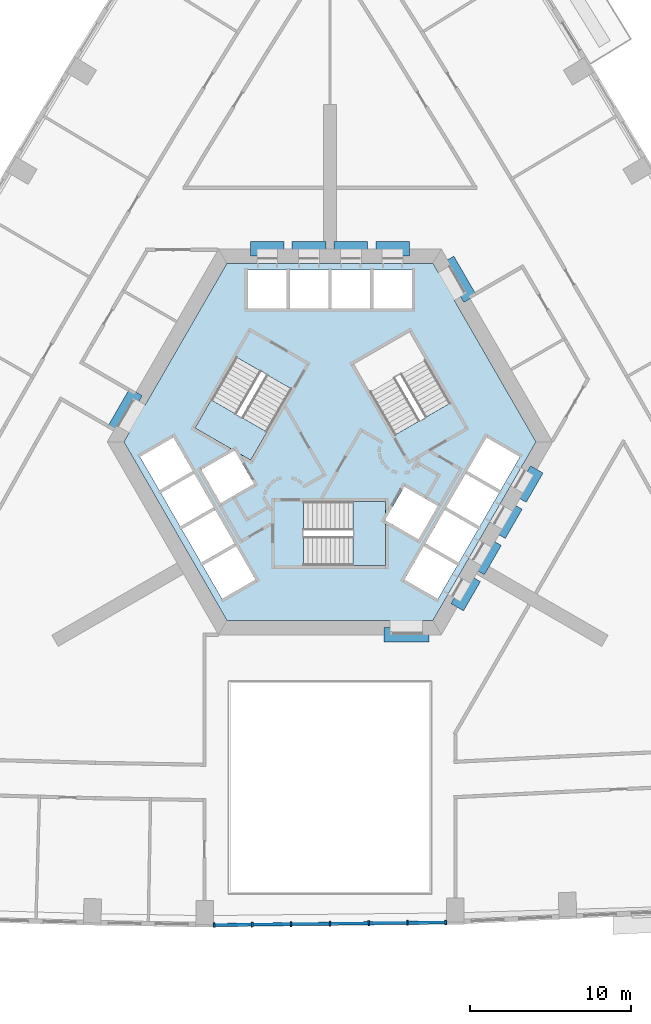
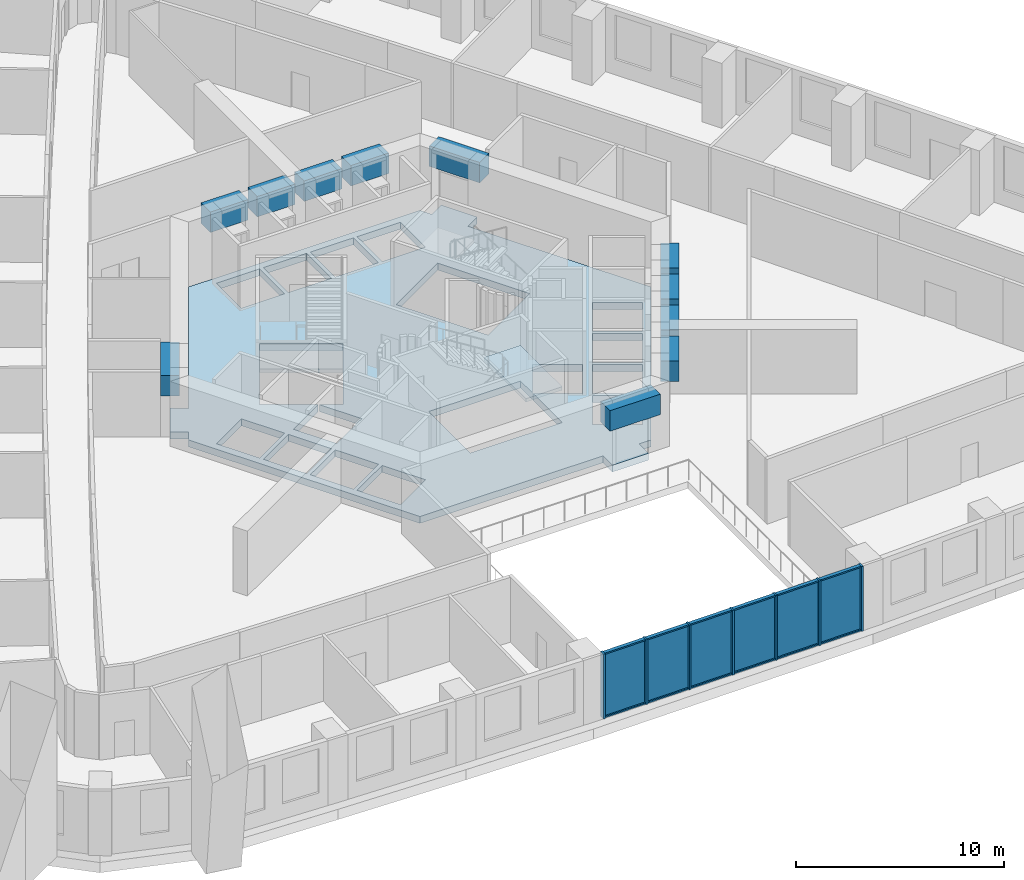
# One storey, part 2 of 15: 19 members, 11 beams, 6 plates, 3 slabs, 3 elements without a shape of their own.
"""IFC4 building model written with IfcOpenShell, lengths in metres."""

from ifc_helpers import new_model, si_unit, direction, frame, origin, origin_2d, place, context, subcontext, project, spatial, polyline, rectangle, outline, extrude, material, layer, layer_set, material_profile, profile_set, type_object, element, aggregate, save


model = new_model("IFC4")

# Units and contexts
model_context = context("Model", 3, precision=1e-05, world=origin(), true_north=direction((0.0, 1.0)))
body_context = subcontext(model_context, "Body", "Model", "MODEL_VIEW")
ifc_project = project(units=[si_unit("LENGTHUNIT", "METRE"), si_unit("AREAUNIT", "SQUARE_METRE"), si_unit("VOLUMEUNIT", "CUBIC_METRE"), si_unit("PLANEANGLEUNIT", "RADIAN"), si_unit("MASSUNIT", "GRAM", prefix="KILO")], contexts=[model_context])

# Site, building, storey
site_placement = place(None, origin())
site = spatial("IfcSite", under=ifc_project, at=site_placement, CompositionType="ELEMENT")
building_placement = place(site_placement, origin())
building = spatial("IfcBuilding", under=site, at=building_placement, Name="Entoto Arch Interchange Tower", CompositionType="ELEMENT")
storey_placement = place(building_placement, frame((0.0, 0.0, 111.800048828125)))
storey = spatial("IfcBuildingStorey", under=building, at=storey_placement, Name="L24", CompositionType="ELEMENT", Elevation=111.800048828125)

# Beams
ifc_material_1 = material(Name="Concrete C60/75", Category="concrete")
ifc_material_profile_1 = material_profile(ifc_material_1, rectangle(XDim=0.89990234375, YDim=1.199951171875, at=origin_2d()))
ifc_profile_set_1 = profile_set([ifc_material_profile_1], Name="Concrete C60/75")
beam_type = type_object("IfcBeamType", Name="Coupling beam RC 900x1200 C60/75", PredefinedType="BEAM", material=ifc_profile_set_1)
beam_1_placement = place(storey_placement, frame((8.717041015625, 11.402099609375, 3.0), z_axis=(-0.500200581029, 0.865909567298, 0.0), x_axis=(-0.865909567298, -0.500200581029, 0.0)))
element("IfcBeam", 1, at=beam_1_placement, inside=storey, type_object=beam_type, Name="Coupling beam NE L24", PredefinedType="BEAM", context=body_context, shape_type="SweptSolid", body=[
    extrude(rectangle(XDim=0.89990234375, YDim=1.199951171875, at=origin_2d()), origin(), (0.0, 0.0, 1.0), 2.799072265625),
])
beam_2_placement = place(storey_placement, frame((4.949951171875, 14.5, 3.0), z_axis=(-1.0, 0.0, 0.0), x_axis=(0.0, -1.0, 0.0)))
element("IfcBeam", 2, at=beam_2_placement, inside=storey, type_object=beam_type, Name="Coupling beam N L24", PredefinedType="BEAM", context=body_context, shape_type="SweptSolid", body=[
    extrude(rectangle(XDim=0.89990234375, YDim=1.199951171875, at=origin_2d()), origin(), (0.0, 0.0, 1.0), 2.099853515625),
])
for number, where, z_axis, x_axis, name in (
    (3, (2.35009765625, 14.5, 3.0), (-1.0, 0.0, 0.0), (0.0, -1.0, 0.0), "Coupling beam N L24"),
    (4, (-0.25, 14.5, 3.0), (-1.0, 0.0, 0.0), (0.0, -1.0, 0.0), "Coupling beam N L24"),
):
    element("IfcBeam", number, at=place(storey_placement, frame(where, z_axis=z_axis, x_axis=x_axis)), inside=storey, type_object=beam_type, Name=name, PredefinedType="BEAM", context=body_context, shape_type="SweptSolid", body=[
        extrude(rectangle(XDim=0.89990234375, YDim=1.199951171875, at=origin_2d()), origin(), (0.0, 0.0, 1.0), 2.10009765625),
    ])
beam_3_placement = place(storey_placement, frame((-2.85009765625, 14.5, 3.0), z_axis=(-1.0, 0.0, 0.0), x_axis=(0.0, -1.0, 0.0)))
element("IfcBeam", 5, at=beam_3_placement, inside=storey, type_object=beam_type, Name="Coupling beam N L24", PredefinedType="BEAM", context=body_context, shape_type="SweptSolid", body=[
    extrude(rectangle(XDim=0.89990234375, YDim=1.199951171875, at=origin_2d()), origin(), (0.0, 0.0, 1.0), 2.099853515625),
])
beam_4_placement = place(storey_placement, frame((-12.06689453125, 5.597900390625, 3.0), z_axis=(-0.500200581029, -0.865909567298, 0.0), x_axis=(0.865909567298, -0.500200581029, 0.0)))
element("IfcBeam", 6, at=beam_4_placement, inside=storey, type_object=beam_type, Name="Coupling beam NW L24", PredefinedType="BEAM", context=body_context, shape_type="SweptSolid", body=[
    extrude(rectangle(XDim=0.89990234375, YDim=1.199951171875, at=origin_2d()), origin(), (0.0, 0.0, 1.0), 2.799072265625),
])
beam_5_placement = place(storey_placement, frame((3.35009765625, -9.5, 3.0), z_axis=(1.0, 0.0, 0.0), x_axis=(0.0, 1.0, 0.0)))
element("IfcBeam", 7, at=beam_5_placement, inside=storey, type_object=beam_type, Name="Coupling beam S L24", PredefinedType="BEAM", context=body_context, shape_type="SweptSolid", body=[
    extrude(rectangle(XDim=0.89990234375, YDim=1.199951171875, at=origin_2d()), origin(), (0.0, 0.0, 1.0), 2.7998046875),
])
for number, where, z_axis, x_axis, name in (
    (8, (7.9169921875, -7.785888671875, 3.0), (0.500178781653, 0.865922159541, 0.0), (-0.865922159541, 0.500178781653, 0.0), "Coupling beam SE L24"),
    (9, (9.217041015625, -5.534912109375, 3.0), (0.500178781653, 0.865922159541, 0.0), (-0.865922159541, 0.500178781653, 0.0), "Coupling beam SE L24"),
):
    element("IfcBeam", number, at=place(storey_placement, frame(where, z_axis=z_axis, x_axis=x_axis)), inside=storey, type_object=beam_type, Name=name, PredefinedType="BEAM", context=body_context, shape_type="SweptSolid", body=[
        extrude(rectangle(XDim=0.89990234375, YDim=1.199951171875, at=origin_2d()), origin(), (0.0, 0.0, 1.0), 2.099365234375),
    ])
beam_6_placement = place(storey_placement, frame((10.51708984375, -3.282958984375, 3.0), z_axis=(0.500091574638, 0.865972526687, 0.0), x_axis=(-0.865972526687, 0.500091574638, 0.0)))
element("IfcBeam", 10, at=beam_6_placement, inside=storey, type_object=beam_type, Name="Coupling beam SE L24", PredefinedType="BEAM", context=body_context, shape_type="SweptSolid", body=[
    extrude(rectangle(XDim=0.89990234375, YDim=1.199951171875, at=origin_2d()), origin(), (0.0, 0.0, 1.0), 2.09912109375),
])
beam_7_placement = place(storey_placement, frame((11.81689453125, -1.031982421875, 3.0), z_axis=(0.500178781653, 0.865922159541, 0.0), x_axis=(-0.865922159541, 0.500178781653, 0.0)))
element("IfcBeam", 11, at=beam_7_placement, inside=storey, type_object=beam_type, Name="Coupling beam SE L24", PredefinedType="BEAM", context=body_context, shape_type="SweptSolid", body=[
    extrude(rectangle(XDim=0.89990234375, YDim=1.199951171875, at=origin_2d()), origin(), (0.0, 0.0, 1.0), 2.099365234375),
])

# Curtain wall, members
ifc_material_2 = material(Name="Aluminium, anodised", Category="aluminium")
curtain_wall_type = type_object("IfcCurtainWallType", Name="CURTAIN WALL ATRIUM", PredefinedType="NOTDEFINED", material=ifc_material_2)
curtain_wall_placement = place(storey_placement, origin())
curtain_wall = element("IfcCurtainWall", 12, at=curtain_wall_placement, inside=storey, type_object=curtain_wall_type, Name="Atrium glazing S-04 L24", PredefinedType="NOTDEFINED")
ifc_material_profile_2 = material_profile(ifc_material_2, rectangle(XDim=0.300048828125, YDim=0.10009765625, at=origin_2d()))
ifc_profile_set_2 = profile_set([ifc_material_profile_2], Name="Aluminium, anodised")
member_type_1 = type_object("IfcMemberType", Name="MULLION ATRIUM 100x300", PredefinedType="MULLION", material=ifc_profile_set_2)
member_1_placement = place(storey_placement, frame((-7.199951171875, -27.550537109375, 0.0), z_axis=(0.0, 0.0, 1.0), x_axis=(-0.011033811041, 0.999939125654, 0.0)))
member_1 = element("IfcMember", 13, at=member_1_placement, type_object=member_type_1, Name="CWA mullion 1", PredefinedType="MULLION", context=body_context, shape_type="SweptSolid", body=[
    extrude(rectangle(XDim=0.300048828125, YDim=0.10009765625, at=origin_2d()), origin(), (0.0, 0.0, 1.0), 3.800048828125),
])
member_2_placement = place(storey_placement, frame((-4.833251953125, -27.5244140625, 0.0), z_axis=(0.0, 0.0, 1.0), x_axis=(-0.011033811041, 0.999939125654, 0.0)))
member_2 = element("IfcMember", 14, at=member_2_placement, type_object=member_type_1, Name="CWA mullion 2", PredefinedType="MULLION", context=body_context, shape_type="SweptSolid", body=[
    extrude(rectangle(XDim=0.300048828125, YDim=0.10009765625, at=origin_2d()), origin(), (0.0, 0.0, 1.0), 3.800048828125),
])
member_3_placement = place(storey_placement, frame((-2.416748046875, -27.49755859375, 0.0), z_axis=(0.0, 0.0, 1.0), x_axis=(-0.011033811041, 0.999939125654, 0.0)))
member_3 = element("IfcMember", 15, at=member_3_placement, type_object=member_type_1, Name="CWA mullion 3", PredefinedType="MULLION", context=body_context, shape_type="SweptSolid", body=[
    extrude(rectangle(XDim=0.300048828125, YDim=0.10009765625, at=origin_2d()), origin(), (0.0, 0.0, 1.0), 3.800048828125),
])
member_4_placement = place(storey_placement, frame((0.0, -27.470947265625, 0.0), z_axis=(0.0, 0.0, 1.0), x_axis=(-0.011033811041, 0.999939125654, 0.0)))
member_4 = element("IfcMember", 16, at=member_4_placement, type_object=member_type_1, Name="CWA mullion 4", PredefinedType="MULLION", context=body_context, shape_type="SweptSolid", body=[
    extrude(rectangle(XDim=0.300048828125, YDim=0.10009765625, at=origin_2d()), origin(), (0.0, 0.0, 1.0), 3.800048828125),
])
member_5_placement = place(storey_placement, frame((2.416748046875, -27.4443359375, 0.0), z_axis=(0.0, 0.0, 1.0), x_axis=(-0.011033811041, 0.999939125654, 0.0)))
member_5 = element("IfcMember", 17, at=member_5_placement, type_object=member_type_1, Name="CWA mullion 5", PredefinedType="MULLION", context=body_context, shape_type="SweptSolid", body=[
    extrude(rectangle(XDim=0.300048828125, YDim=0.10009765625, at=origin_2d()), origin(), (0.0, 0.0, 1.0), 3.800048828125),
])
member_6_placement = place(storey_placement, frame((4.833251953125, -27.417724609375, 0.0), z_axis=(0.0, 0.0, 1.0), x_axis=(-0.011033811041, 0.999939125654, 0.0)))
member_6 = element("IfcMember", 18, at=member_6_placement, type_object=member_type_1, Name="CWA mullion 6", PredefinedType="MULLION", context=body_context, shape_type="SweptSolid", body=[
    extrude(rectangle(XDim=0.300048828125, YDim=0.10009765625, at=origin_2d()), origin(), (0.0, 0.0, 1.0), 3.800048828125),
])
member_7_placement = place(storey_placement, frame((7.199951171875, -27.3916015625, 0.0), z_axis=(0.0, 0.0, 1.0), x_axis=(-0.011033811041, 0.999939125654, 0.0)))
member_7 = element("IfcMember", 19, at=member_7_placement, type_object=member_type_1, Name="CWA mullion 7", PredefinedType="MULLION", context=body_context, shape_type="SweptSolid", body=[
    extrude(rectangle(XDim=0.300048828125, YDim=0.10009765625, at=origin_2d()), origin(), (0.0, 0.0, 1.0), 3.800048828125),
])
ifc_material_profile_3 = material_profile(ifc_material_2, rectangle(XDim=0.199951171875, YDim=0.080078125, at=origin_2d()))
ifc_profile_set_3 = profile_set([ifc_material_profile_3], Name="Aluminium, anodised")
member_type_2 = type_object("IfcMemberType", Name="TRANSOM ATRIUM 80x200", PredefinedType="USERDEFINED", material=ifc_profile_set_3)
member_8_placement = place(storey_placement, frame((-7.14990234375, -27.5498046875, 0.0400390625), z_axis=(0.999939652293, 0.010985980669, 0.0), x_axis=(-0.010985980669, 0.999939652293, 0.0)))
member_8 = element("IfcMember", 20, at=member_8_placement, type_object=member_type_2, Name="CWA transom 1.1", ObjectType="TRANSOM", PredefinedType="USERDEFINED", context=body_context, shape_type="SweptSolid", body=[
    extrude(rectangle(XDim=0.199951171875, YDim=0.080078125, at=origin_2d()), origin(), (0.0, 0.0, 1.0), 2.266845703125),
])
member_9_placement = place(storey_placement, frame((-7.14990234375, -27.5498046875, 3.760009765625), z_axis=(0.999939652293, 0.010985980669, 0.0), x_axis=(-0.010985980669, 0.999939652293, 0.0)))
member_9 = element("IfcMember", 21, at=member_9_placement, type_object=member_type_2, Name="CWA transom 1.2", ObjectType="TRANSOM", PredefinedType="USERDEFINED", context=body_context, shape_type="SweptSolid", body=[
    extrude(rectangle(XDim=0.199951171875, YDim=0.080078125, at=origin_2d()), origin(), (0.0, 0.0, 1.0), 2.266845703125),
])
member_10_placement = place(storey_placement, frame((-4.783447265625, -27.523681640625, 0.0400390625), z_axis=(0.999939956619, 0.0109582461, 0.0), x_axis=(-0.0109582461, 0.999939956619, 0.0)))
member_10 = element("IfcMember", 22, at=member_10_placement, type_object=member_type_2, Name="CWA transom 2.1", ObjectType="TRANSOM", PredefinedType="USERDEFINED", context=body_context, shape_type="SweptSolid", body=[
    extrude(rectangle(XDim=0.199951171875, YDim=0.080078125, at=origin_2d()), origin(), (0.0, 0.0, 1.0), 2.317138671875),
])
member_11_placement = place(storey_placement, frame((-4.783447265625, -27.523681640625, 3.760009765625), z_axis=(0.999939956619, 0.0109582461, 0.0), x_axis=(-0.0109582461, 0.999939956619, 0.0)))
member_11 = element("IfcMember", 23, at=member_11_placement, type_object=member_type_2, Name="CWA transom 2.2", ObjectType="TRANSOM", PredefinedType="USERDEFINED", context=body_context, shape_type="SweptSolid", body=[
    extrude(rectangle(XDim=0.199951171875, YDim=0.080078125, at=origin_2d()), origin(), (0.0, 0.0, 1.0), 2.317138671875),
])
member_12_placement = place(storey_placement, frame((-2.36669921875, -27.4970703125, 0.0400390625), z_axis=(0.999938783594, 0.011064766812, 0.0), x_axis=(-0.011064766812, 0.999938783594, 0.0)))
member_12 = element("IfcMember", 24, at=member_12_placement, type_object=member_type_2, Name="CWA transom 3.1", ObjectType="TRANSOM", PredefinedType="USERDEFINED", context=body_context, shape_type="SweptSolid", body=[
    extrude(rectangle(XDim=0.199951171875, YDim=0.080078125, at=origin_2d()), origin(), (0.0, 0.0, 1.0), 2.31689453125),
])
member_13_placement = place(storey_placement, frame((-2.36669921875, -27.4970703125, 3.760009765625), z_axis=(0.999938783594, 0.011064766812, 0.0), x_axis=(-0.011064766812, 0.999938783594, 0.0)))
member_13 = element("IfcMember", 25, at=member_13_placement, type_object=member_type_2, Name="CWA transom 3.2", ObjectType="TRANSOM", PredefinedType="USERDEFINED", context=body_context, shape_type="SweptSolid", body=[
    extrude(rectangle(XDim=0.199951171875, YDim=0.080078125, at=origin_2d()), origin(), (0.0, 0.0, 1.0), 2.31689453125),
])
member_14_placement = place(storey_placement, frame((0.050048828125, -27.470458984375, 0.0400390625), z_axis=(0.999938783594, 0.011064766812, 0.0), x_axis=(-0.011064766812, 0.999938783594, 0.0)))
member_14 = element("IfcMember", 26, at=member_14_placement, type_object=member_type_2, Name="CWA transom 4.1", ObjectType="TRANSOM", PredefinedType="USERDEFINED", context=body_context, shape_type="SweptSolid", body=[
    extrude(rectangle(XDim=0.199951171875, YDim=0.080078125, at=origin_2d()), origin(), (0.0, 0.0, 1.0), 2.31689453125),
])
member_15_placement = place(storey_placement, frame((0.050048828125, -27.470458984375, 3.760009765625), z_axis=(0.999938783594, 0.011064766812, 0.0), x_axis=(-0.011064766812, 0.999938783594, 0.0)))
member_15 = element("IfcMember", 27, at=member_15_placement, type_object=member_type_2, Name="CWA transom 4.2", ObjectType="TRANSOM", PredefinedType="USERDEFINED", context=body_context, shape_type="SweptSolid", body=[
    extrude(rectangle(XDim=0.199951171875, YDim=0.080078125, at=origin_2d()), origin(), (0.0, 0.0, 1.0), 2.31689453125),
])
member_16_placement = place(storey_placement, frame((2.466552734375, -27.44384765625, 0.0400390625), z_axis=(0.999938796493, 0.011063601015, 0.0), x_axis=(-0.011063601015, 0.999938796493, 0.0)))
member_16 = element("IfcMember", 28, at=member_16_placement, type_object=member_type_2, Name="CWA transom 5.1", ObjectType="TRANSOM", PredefinedType="USERDEFINED", context=body_context, shape_type="SweptSolid", body=[
    extrude(rectangle(XDim=0.199951171875, YDim=0.080078125, at=origin_2d()), origin(), (0.0, 0.0, 1.0), 2.317138671875),
])
member_17_placement = place(storey_placement, frame((2.466552734375, -27.44384765625, 3.760009765625), z_axis=(0.999938796493, 0.011063601015, 0.0), x_axis=(-0.011063601015, 0.999938796493, 0.0)))
member_17 = element("IfcMember", 29, at=member_17_placement, type_object=member_type_2, Name="CWA transom 5.2", ObjectType="TRANSOM", PredefinedType="USERDEFINED", context=body_context, shape_type="SweptSolid", body=[
    extrude(rectangle(XDim=0.199951171875, YDim=0.080078125, at=origin_2d()), origin(), (0.0, 0.0, 1.0), 2.317138671875),
])
member_18_placement = place(storey_placement, frame((4.88330078125, -27.417236328125, 0.0400390625), z_axis=(0.999938463314, 0.011093673171, 0.0), x_axis=(-0.011093673171, 0.999938463314, 0.0)))
member_18 = element("IfcMember", 30, at=member_18_placement, type_object=member_type_2, Name="CWA transom 6.1", ObjectType="TRANSOM", PredefinedType="USERDEFINED", context=body_context, shape_type="SweptSolid", body=[
    extrude(rectangle(XDim=0.199951171875, YDim=0.080078125, at=origin_2d()), origin(), (0.0, 0.0, 1.0), 2.266845703125),
])
member_19_placement = place(storey_placement, frame((4.88330078125, -27.417236328125, 3.760009765625), z_axis=(0.999938463314, 0.011093673171, 0.0), x_axis=(-0.011093673171, 0.999938463314, 0.0)))
member_19 = element("IfcMember", 31, at=member_19_placement, type_object=member_type_2, Name="CWA transom 6.2", ObjectType="TRANSOM", PredefinedType="USERDEFINED", context=body_context, shape_type="SweptSolid", body=[
    extrude(rectangle(XDim=0.199951171875, YDim=0.080078125, at=origin_2d()), origin(), (0.0, 0.0, 1.0), 2.266845703125),
])

# Slab
ifc_material_3 = material(Name="Concrete C40/50", Category="concrete")
ifc_layer_1 = layer(ifc_material_3, 0.39990234375)
ifc_layer_set_1 = layer_set([ifc_layer_1], Name="Concrete C40/50")
slab_type_1 = type_object("IfcSlabType", Name="Core floor slab 400 C40/50", PredefinedType="FLOOR", material=ifc_layer_set_1)
slab_1_placement = place(storey_placement, frame((0.0, 0.0, -0.400146484375)))
element("IfcSlab", 32, at=slab_1_placement, inside=storey, type_object=slab_type_1, Name="Core floor slab L24", PredefinedType="FLOOR", context=body_context, shape_type="SweptSolid", body=[
    extrude(outline(polyline([(5.75, -9.5), (3.75, -9.5), (3.75, -8.60009765625), (-6.408935546875, -8.60009765625), (-12.81689453125, 2.5), (-12.488037109375, 3.070068359375), (-13.26708984375, 3.52001953125), (-12.26708984375, 5.251953125), (-11.488037109375, 4.802001953125), (-6.408935546875, 13.60009765625), (6.408935546875, 13.60009765625), (6.738037109375, 13.030029296875), (7.51708984375, 13.47998046875), (8.51708984375, 11.748046875), (7.738037109375, 11.298095703125), (12.81689453125, 2.5), (6.408935546875, -8.60009765625), (5.75, -8.60009765625), (5.75, -9.5)]), holes=[polyline([(-4.637939453125, -6.06689453125), (-5.837890625, -3.988037109375), (-7.916015625, -5.18798828125), (-6.716064453125, -7.26708984375), (-4.637939453125, -6.06689453125)]), polyline([(-5.93798828125, -3.81494140625), (-7.137939453125, -1.737060546875), (-9.216064453125, -2.93701171875), (-8.01611328125, -5.014892578125), (-5.93798828125, -3.81494140625)]), polyline([(5.5048828125, -3.56494140625), (6.705078125, -1.487060546875), (4.626953125, -0.287109375), (3.449951171875, -2.324951171875), (3.449951171875, -1.199951171875), (-1.64990234375, -1.199951171875), (-1.64990234375, -5.199951171875), (3.449951171875, -5.199951171875), (3.449951171875, -2.3779296875), (5.5048828125, -3.56494140625)]), polyline([(-7.238037109375, -1.56298828125), (-8.43798828125, 0.514892578125), (-10.51611328125, -0.68505859375), (-9.31591796875, -2.762939453125), (-7.238037109375, -1.56298828125)]), polyline([(-4.72705078125, -0.113037109375), (-5.904052734375, 1.925048828125), (-4.928955078125, 1.362060546875), (-2.37890625, 5.779052734375), (-5.843017578125, 7.779052734375), (-8.39306640625, 3.362060546875), (-5.949951171875, 1.951904296875), (-8.0048828125, 0.764892578125), (-6.804931640625, -1.31298828125), (-4.72705078125, -0.113037109375)]), polyline([(-8.5380859375, 0.68798828125), (-9.738037109375, 2.76708984375), (-11.81591796875, 1.56689453125), (-10.615966796875, -0.511962890625), (-8.5380859375, 0.68798828125)]), polyline([(-5.10009765625, 10.800048828125), (-2.699951171875, 10.800048828125), (-2.699951171875, 13.199951171875), (-5.10009765625, 13.199951171875), (-5.10009765625, 10.800048828125)]), polyline([(-2.5, 10.800048828125), (-0.10009765625, 10.800048828125), (-0.10009765625, 13.199951171875), (-2.5, 13.199951171875), (-2.5, 10.800048828125)]), polyline([(5.837890625, -3.988037109375), (4.637939453125, -6.06689453125), (6.716064453125, -7.26708984375), (7.916015625, -5.18798828125), (5.837890625, -3.988037109375)]), polyline([(7.137939453125, -1.737060546875), (5.93798828125, -3.81494140625), (8.01611328125, -5.014892578125), (9.216064453125, -2.93701171875), (7.137939453125, -1.737060546875)]), polyline([(8.43798828125, 0.514892578125), (7.238037109375, -1.56298828125), (9.31591796875, -2.762939453125), (10.51611328125, -0.68505859375), (8.43798828125, 0.514892578125)]), polyline([(9.738037109375, 2.76708984375), (8.5380859375, 0.68798828125), (10.615966796875, -0.511962890625), (11.81591796875, 1.56689453125), (9.738037109375, 2.76708984375)]), polyline([(4.029052734375, 2.9208984375), (7.492919921875, 4.9208984375), (4.943115234375, 9.337890625), (1.47900390625, 7.337890625), (4.029052734375, 2.9208984375)]), polyline([(0.10009765625, 13.199951171875), (0.10009765625, 10.800048828125), (2.5, 10.800048828125), (2.5, 13.199951171875), (0.10009765625, 13.199951171875)]), polyline([(2.699951171875, 13.199951171875), (2.699951171875, 10.800048828125), (5.10009765625, 10.800048828125), (5.10009765625, 13.199951171875), (2.699951171875, 13.199951171875)])]), origin(), (0.0, 0.0, 1.0), 0.400146484375),
])

# Stair, slab
stair_type = type_object("IfcStairType", Name="EXIT STAIR RC 1800", PredefinedType="HALF_TURN_STAIR", material=ifc_material_3)
stair_1_placement = place(storey_placement, origin())
stair_1 = element("IfcStair", 33, at=stair_1_placement, inside=storey, type_object=stair_type, Name="L24 Exit stair S", PredefinedType="HALF_TURN_STAIR")
ifc_layer_2 = layer(ifc_material_3, 0.199951171875)
ifc_layer_set_2 = layer_set([ifc_layer_2], Name="Concrete C40/50")
slab_type_2 = type_object("IfcSlabType", Name="EXIT STAIR LANDING RC 200", PredefinedType="LANDING", material=ifc_layer_set_2)
slab_2_placement = place(storey_placement, frame((0.0, 0.0, 1.89990234375)))
slab_2 = element("IfcSlab", 34, at=slab_2_placement, type_object=slab_type_2, Name="ST-S landing 1", PredefinedType="LANDING", context=body_context, shape_type="SweptSolid", body=[
    extrude(outline(polyline([(1.429931640625, -5.199951171875), (3.449951171875, -5.199951171875), (3.449951171875, -1.199951171875), (1.429931640625, -1.199951171875), (1.429931640625, -5.199951171875)])), origin(), (0.0, 0.0, 1.0), 0.199951171875),
])
aggregate(stair_1, [slab_2])

stair_2_placement = place(storey_placement, origin())
stair_2 = element("IfcStair", 35, at=stair_2_placement, inside=storey, type_object=stair_type, Name="L24 Exit stair NW", PredefinedType="HALF_TURN_STAIR")
slab_3_placement = place(storey_placement, frame((0.0, 0.0, 1.89990234375)))
slab_3 = element("IfcSlab", 36, at=slab_3_placement, type_object=slab_type_2, Name="ST-NW landing 1", PredefinedType="LANDING", context=body_context, shape_type="SweptSolid", body=[
    extrude(outline(polyline([(-7.38330078125, 5.111572265625), (-8.393310546875, 3.3623046875), (-4.92919921875, 1.3623046875), (-3.919189453125, 3.111572265625), (-7.38330078125, 5.111572265625)])), origin(), (0.0, 0.0, 1.0), 0.199951171875),
])
aggregate(stair_2, [slab_3])

# Plate
ifc_material_4 = material(Name="Clear glass, low-e double glazed", Category="glass")
ifc_layer_3 = layer(ifc_material_4, 0.031982421875)
ifc_layer_set_3 = layer_set([ifc_layer_3], Name="Clear glass, low-e double glazed")
plate_type = type_object("IfcPlateType", Name="GLAZING PANEL ATRIUM 32", PredefinedType="CURTAIN_PANEL", material=ifc_layer_set_3)
plate_1_placement = place(storey_placement, frame((-6.0166015625, -27.537353515625, 0.080078125), z_axis=(0.0, 0.0, 1.0), x_axis=(0.999939125654, 0.011033811041, 0.0)))
plate_1 = element("IfcPlate", 37, at=plate_1_placement, type_object=plate_type, Name="CWA panel 1.1", PredefinedType="CURTAIN_PANEL", context=body_context, shape_type="SweptSolid", body=[
    extrude(rectangle(XDim=2.266845703125, YDim=0.031982421875, at=origin_2d()), origin(), (0.0, 0.0, 1.0), 3.639892578125),
])

plate_2_placement = place(storey_placement, frame((-3.625, -27.510986328125, 0.080078125), z_axis=(0.0, 0.0, 1.0), x_axis=(0.999939125654, 0.011033811041, 0.0)))
plate_2 = element("IfcPlate", 38, at=plate_2_placement, type_object=plate_type, Name="CWA panel 2.1", PredefinedType="CURTAIN_PANEL", context=body_context, shape_type="SweptSolid", body=[
    extrude(rectangle(XDim=2.31689453125, YDim=0.031982421875, at=origin_2d()), origin(), (0.0, 0.0, 1.0), 3.639892578125),
])

plate_3_placement = place(storey_placement, frame((-1.208251953125, -27.484375, 0.080078125), z_axis=(0.0, 0.0, 1.0), x_axis=(0.999939125654, 0.011033811041, 0.0)))
plate_3 = element("IfcPlate", 39, at=plate_3_placement, type_object=plate_type, Name="CWA panel 3.1", PredefinedType="CURTAIN_PANEL", context=body_context, shape_type="SweptSolid", body=[
    extrude(rectangle(XDim=2.31689453125, YDim=0.031982421875, at=origin_2d()), origin(), (0.0, 0.0, 1.0), 3.639892578125),
])

plate_4_placement = place(storey_placement, frame((1.208251953125, -27.457763671875, 0.080078125), z_axis=(0.0, 0.0, 1.0), x_axis=(0.999939125654, 0.011033811041, 0.0)))
plate_4 = element("IfcPlate", 40, at=plate_4_placement, type_object=plate_type, Name="CWA panel 4.1", PredefinedType="CURTAIN_PANEL", context=body_context, shape_type="SweptSolid", body=[
    extrude(rectangle(XDim=2.31689453125, YDim=0.031982421875, at=origin_2d()), origin(), (0.0, 0.0, 1.0), 3.639892578125),
])

plate_5_placement = place(storey_placement, frame((3.625, -27.430908203125, 0.080078125), z_axis=(0.0, 0.0, 1.0), x_axis=(0.999939125654, 0.011033811041, 0.0)))
plate_5 = element("IfcPlate", 41, at=plate_5_placement, type_object=plate_type, Name="CWA panel 5.1", PredefinedType="CURTAIN_PANEL", context=body_context, shape_type="SweptSolid", body=[
    extrude(rectangle(XDim=2.31689453125, YDim=0.031982421875, at=origin_2d()), origin(), (0.0, 0.0, 1.0), 3.639892578125),
])

plate_6_placement = place(storey_placement, frame((6.0166015625, -27.404541015625, 0.080078125), z_axis=(0.0, 0.0, 1.0), x_axis=(0.999939125654, 0.011033811041, 0.0)))
plate_6 = element("IfcPlate", 42, at=plate_6_placement, type_object=plate_type, Name="CWA panel 6.1", PredefinedType="CURTAIN_PANEL", context=body_context, shape_type="SweptSolid", body=[
    extrude(rectangle(XDim=2.266845703125, YDim=0.031982421875, at=origin_2d()), origin(), (0.0, 0.0, 1.0), 3.639892578125),
])

aggregate(curtain_wall, [member_1, member_2, member_3, member_4, member_5, member_6, member_7, member_8, member_9, plate_1, member_10, member_11, plate_2, member_12, member_13, plate_3, member_14, member_15, plate_4, member_16, member_17, plate_5, member_18, member_19, plate_6])

save(model, "model.ifc")
